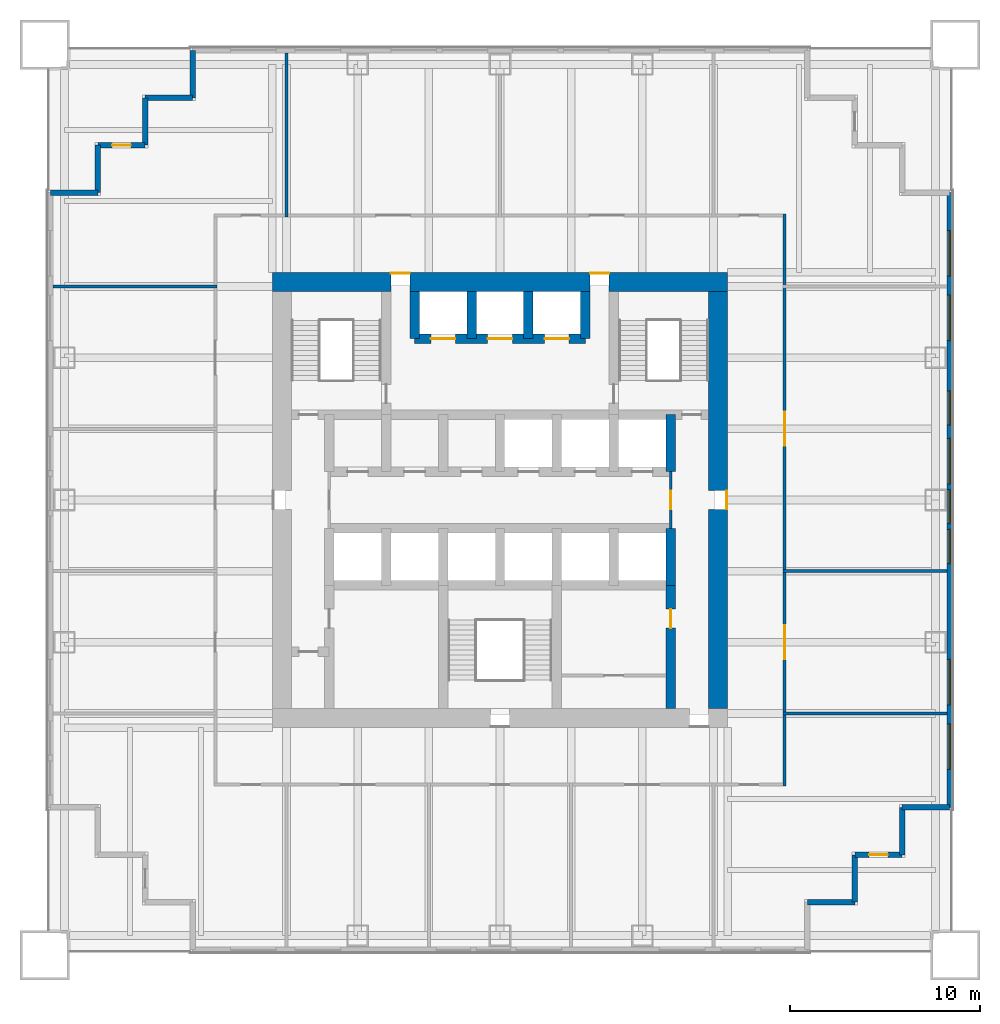
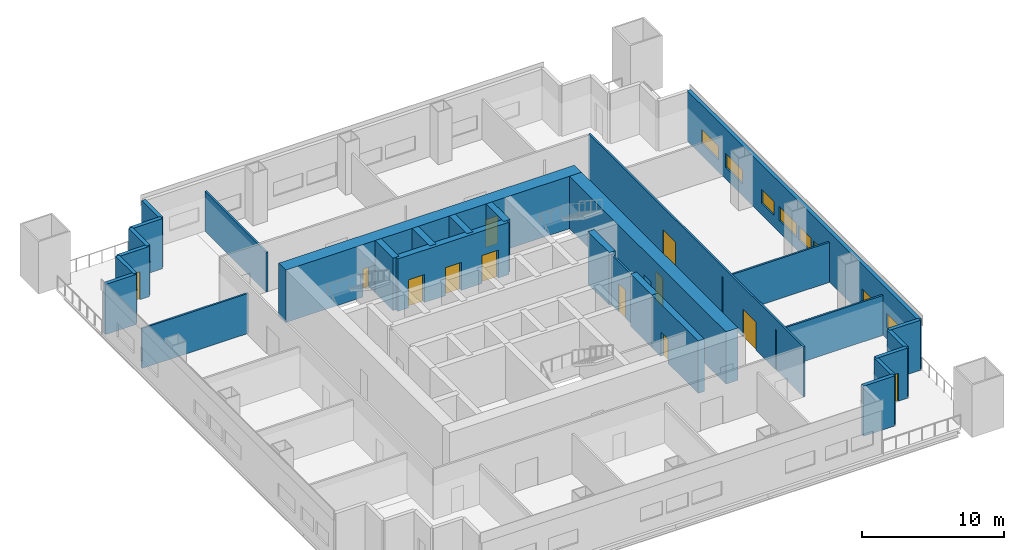
# One storey, part 4 of 7: 28 walls, 12 doors, 8 windows, 20 openings.
"""IFC4 building model written with IfcOpenShell, lengths in metres."""

from ifc_helpers import new_model, si_unit, direction, frame, frame_2d, origin, place, context, subcontext, project, spatial, rectangle, extrude, material, layer, layer_set, type_object, element, fill, save


model = new_model("IFC4")

# Units and contexts
model_context = context("Model", 3, precision=1e-05, world=origin(), true_north=direction((0.0, 1.0)))
body_context = subcontext(model_context, "Body", "Model", "MODEL_VIEW")
ifc_project = project(units=[si_unit("LENGTHUNIT", "METRE"), si_unit("AREAUNIT", "SQUARE_METRE"), si_unit("VOLUMEUNIT", "CUBIC_METRE"), si_unit("PLANEANGLEUNIT", "RADIAN"), si_unit("MASSUNIT", "GRAM", prefix="KILO")], contexts=[model_context])

# Site, building, storey
site_placement = place(None, origin())
site = spatial("IfcSite", under=ifc_project, at=site_placement, CompositionType="ELEMENT")
building_placement = place(site_placement, origin())
building = spatial("IfcBuilding", under=site, at=building_placement, Name="Tarangal Relay Tower", CompositionType="ELEMENT")
storey_placement = place(building_placement, frame((0.0, 0.0, 158.39990234375)))
storey = spatial("IfcBuildingStorey", under=building, at=storey_placement, Name="L32", CompositionType="ELEMENT", Elevation=158.39990234375)

# Wall, openings, doors
ifc_material_1 = material(Name="Concrete fc' 60 MPa", Category="concrete")
ifc_layer_1 = layer(ifc_material_1, 0.5)
ifc_layer_set_1 = layer_set([ifc_layer_1], Name="Core inner wall 500")
wall_type_1 = type_object("IfcWallType", Name="Core inner wall 500", PredefinedType="SHEAR", material=ifc_layer_set_1)
wall_1_placement = place(storey_placement, frame((-4.5, 8.5, 0.0), z_axis=(0.0, 0.0, 1.0), x_axis=(1.0, 0.0, 0.0)))
wall_1 = element("IfcWall", 1, at=wall_1_placement, inside=storey, type_object=wall_type_1, Name="Core wall Y85 L32", PredefinedType="SHEAR", context=body_context, shape_type="SweptSolid", body=[
    extrude(rectangle(XDim=9.0, YDim=0.5, at=frame_2d((4.5, 0.0))), origin(), (0.0, 0.0, 1.0), 4.5),
])
opening_1_placement = place(wall_1_placement, frame((0.85009765625, 0.0, 0.0)))
opening_1 = element("IfcOpeningElement", 2, at=opening_1_placement, cuts=wall_1, Name="Opening LD2", PredefinedType="OPENING", context=body_context, shape_type="SweptSolid", body=[
    extrude(rectangle(XDim=1.300048828125, YDim=2.39990234375, at=frame_2d((0.64990234375, 1.199951171875))), frame((0.0, 0.260009765625, 0.0), z_axis=(0.0, -1.0, 0.0), x_axis=(1.0, 0.0, 0.0)), (0.0, 0.0, 1.0), 0.52001953125),
])
opening_2_placement = place(wall_1_placement, frame((6.85009765625, 0.0, 0.0)))
opening_2 = element("IfcOpeningElement", 3, at=opening_2_placement, cuts=wall_1, Name="Opening LD2", PredefinedType="OPENING", context=body_context, shape_type="SweptSolid", body=[
    extrude(rectangle(XDim=1.300048828125, YDim=2.39990234375, at=frame_2d((0.64990234375, 1.199951171875))), frame((0.0, 0.260009765625, 0.0), z_axis=(0.0, -1.0, 0.0), x_axis=(1.0, 0.0, 0.0)), (0.0, 0.0, 1.0), 0.52001953125),
])
opening_3_placement = place(wall_1_placement, frame((3.85009765625, 0.0, 0.0)))
opening_3 = element("IfcOpeningElement", 4, at=opening_3_placement, cuts=wall_1, Name="Opening LD2", PredefinedType="OPENING", context=body_context, shape_type="SweptSolid", body=[
    extrude(rectangle(XDim=1.300048828125, YDim=2.39990234375, at=frame_2d((0.64990234375, 1.199951171875))), frame((0.0, 0.260009765625, 0.0), z_axis=(0.0, -1.0, 0.0), x_axis=(1.0, 0.0, 0.0)), (0.0, 0.0, 1.0), 0.52001953125),
])
ifc_material_2 = material(Name="Steel door with hardwood frame", Category="steel")
door_type_1 = type_object("IfcDoorType", Name="Lift landing door 1300 x 2400", OperationType="SLIDING_TO_LEFT", PredefinedType="DOOR", material=ifc_material_2)
door_1_placement = place(opening_1_placement, origin())
door_1 = element("IfcDoor", 5, at=door_1_placement, inside=storey, type_object=door_type_1, Name="Lift FF1 landing door L32", OperationType="SLIDING_TO_LEFT", OverallHeight=2.39990234375, OverallWidth=1.300048828125, PredefinedType="DOOR", context=body_context, shape_type="SweptSolid", body=[
    extrude(rectangle(XDim=1.300048828125, YDim=2.39990234375, at=frame_2d((0.64990234375, 1.199951171875))), frame((0.0, 0.02490234375, 0.0), z_axis=(0.0, -1.0, 0.0), x_axis=(1.0, 0.0, 0.0)), (0.0, 0.0, 1.0), 0.050048828125),
])
fill(opening_1, door_1)
door_2_placement = place(opening_2_placement, origin())
door_2 = element("IfcDoor", 6, at=door_2_placement, inside=storey, type_object=door_type_1, Name="Lift FF2 landing door L32", OperationType="SLIDING_TO_LEFT", OverallHeight=2.39990234375, OverallWidth=1.300048828125, PredefinedType="DOOR", context=body_context, shape_type="SweptSolid", body=[
    extrude(rectangle(XDim=1.300048828125, YDim=2.39990234375, at=frame_2d((0.64990234375, 1.199951171875))), frame((0.0, 0.02490234375, 0.0), z_axis=(0.0, -1.0, 0.0), x_axis=(1.0, 0.0, 0.0)), (0.0, 0.0, 1.0), 0.050048828125),
])
fill(opening_2, door_2)
door_3_placement = place(opening_3_placement, origin())
door_3 = element("IfcDoor", 7, at=door_3_placement, inside=storey, type_object=door_type_1, Name="Lift SV1 landing door L32", OperationType="SLIDING_TO_LEFT", OverallHeight=2.39990234375, OverallWidth=1.300048828125, PredefinedType="DOOR", context=body_context, shape_type="SweptSolid", body=[
    extrude(rectangle(XDim=1.300048828125, YDim=2.39990234375, at=frame_2d((0.64990234375, 1.199951171875))), frame((0.0, 0.02490234375, 0.0), z_axis=(0.0, -1.0, 0.0), x_axis=(1.0, 0.0, 0.0)), (0.0, 0.0, 1.0), 0.050048828125),
])
fill(opening_3, door_3)

# Walls
for number, where, z_axis, x_axis, name in (
    (8, (9.0, 1.5, 0.0), (0.0, 0.0, 1.0), (0.0, 1.0, 0.0), "Core wall X9N L32"),
    (9, (9.0, -4.5, 0.0), (0.0, 0.0, 1.0), (0.0, 1.0, 0.0), "Core wall X9S L32"),
):
    element("IfcWall", number, at=place(storey_placement, frame(where, z_axis=z_axis, x_axis=x_axis)), inside=storey, type_object=wall_type_1, Name=name, PredefinedType="SHEAR", context=body_context, shape_type="SweptSolid", body=[
        extrude(rectangle(XDim=3.0, YDim=0.5, at=frame_2d((1.5, 0.0))), origin(), (0.0, 0.0, 1.0), 4.5),
    ])
for number, where, z_axis, x_axis, name in (
    (10, (-4.5, 8.5, 0.0), (0.0, 0.0, 1.0), (0.0, 1.0, 0.0), "Core wall XM45 L32"),
    (11, (4.5, 8.5, 0.0), (0.0, 0.0, 1.0), (0.0, 1.0, 0.0), "Core wall X45 L32"),
    (12, (-1.5, 8.5, 0.0), (0.0, 0.0, 1.0), (0.0, 1.0, 0.0), "Core wall XM15 L32"),
    (13, (1.5, 8.5, 0.0), (0.0, 0.0, 1.0), (0.0, 1.0, 0.0), "Core wall X15 L32"),
):
    element("IfcWall", number, at=place(storey_placement, frame(where, z_axis=z_axis, x_axis=x_axis)), inside=storey, type_object=wall_type_1, Name=name, PredefinedType="SHEAR", context=body_context, shape_type="SweptSolid", body=[
        extrude(rectangle(XDim=2.5, YDim=0.5, at=frame_2d((1.25, 0.0))), origin(), (0.0, 0.0, 1.0), 4.5),
    ])

# Wall, opening, door
wall_2_placement = place(storey_placement, frame((9.0, -11.0, 0.0), z_axis=(0.0, 0.0, 1.0), x_axis=(0.0, 1.0, 0.0)))
wall_2 = element("IfcWall", 14, at=wall_2_placement, inside=storey, type_object=wall_type_1, Name="Core wall X9W L32", PredefinedType="SHEAR", context=body_context, shape_type="SweptSolid", body=[
    extrude(rectangle(XDim=6.5, YDim=0.5, at=frame_2d((3.25, 0.0))), origin(), (0.0, 0.0, 1.0), 4.5),
])
opening_4_placement = place(wall_2_placement, frame((4.25, 0.0, 0.0)))
opening_4 = element("IfcOpeningElement", 15, at=opening_4_placement, cuts=wall_2, Name="Opening D1", PredefinedType="OPENING", context=body_context, shape_type="SweptSolid", body=[
    extrude(rectangle(XDim=1.0, YDim=2.10009765625, at=frame_2d((0.5, 1.050048828125))), frame((0.0, 0.260009765625, 0.0), z_axis=(0.0, -1.0, 0.0), x_axis=(1.0, 0.0, 0.0)), (0.0, 0.0, 1.0), 0.52001953125),
])
ifc_material_3 = material(Name="Hardwood door", Category="wood")
door_type_2 = type_object("IfcDoorType", Name="WC door 1000 x 2100", OperationType="SINGLE_SWING_LEFT", PredefinedType="DOOR", material=ifc_material_3)
door_4_placement = place(opening_4_placement, origin())
door_4 = element("IfcDoor", 16, at=door_4_placement, inside=storey, type_object=door_type_2, Name="Female WC door L32", OperationType="SINGLE_SWING_LEFT", OverallHeight=2.10009765625, OverallWidth=1.0, PredefinedType="DOOR", context=body_context, shape_type="SweptSolid", body=[
    extrude(rectangle(XDim=1.0, YDim=2.10009765625, at=frame_2d((0.5, 1.050048828125))), frame((0.0, 0.02490234375, 0.0), z_axis=(0.0, -1.0, 0.0), x_axis=(1.0, 0.0, 0.0)), (0.0, 0.0, 1.0), 0.050048828125),
])
fill(opening_4, door_4)

# Wall, openings, doors
ifc_layer_2 = layer(ifc_material_1, 1.0)
ifc_layer_set_2 = layer_set([ifc_layer_2], Name="Core wall 1000")
wall_type_2 = type_object("IfcWallType", Name="Core wall 1000", PredefinedType="SHEAR", material=ifc_layer_set_2)
wall_3_placement = place(storey_placement, frame((-12.0, 11.5, 0.0), z_axis=(0.0, 0.0, 1.0), x_axis=(1.0, 0.0, 0.0)))
wall_3 = element("IfcWall", 17, at=wall_3_placement, inside=storey, type_object=wall_type_2, Name="Core wall N L32", PredefinedType="SHEAR", context=body_context, shape_type="SweptSolid", body=[
    extrude(rectangle(XDim=24.0, YDim=1.0, at=frame_2d((12.0, 0.0))), origin(), (0.0, 0.0, 1.0), 4.5),
])
opening_5_placement = place(wall_3_placement, frame((6.25, 0.0, 0.0)))
opening_5 = element("IfcOpeningElement", 18, at=opening_5_placement, cuts=wall_3, Name="Opening FD3", PredefinedType="OPENING", context=body_context, shape_type="SweptSolid", body=[
    extrude(rectangle(XDim=1.0, YDim=2.39990234375, at=frame_2d((0.5, 1.199951171875))), frame((0.0, 0.510009765625, 0.0), z_axis=(0.0, -1.0, 0.0), x_axis=(1.0, 0.0, 0.0)), (0.0, 0.0, 1.0), 1.02001953125),
])
opening_6_placement = place(wall_3_placement, frame((16.75, 0.0, 0.0)))
opening_6 = element("IfcOpeningElement", 19, at=opening_6_placement, cuts=wall_3, Name="Opening FD3", PredefinedType="OPENING", context=body_context, shape_type="SweptSolid", body=[
    extrude(rectangle(XDim=1.0, YDim=2.39990234375, at=frame_2d((0.5, 1.199951171875))), frame((0.0, 0.510009765625, 0.0), z_axis=(0.0, -1.0, 0.0), x_axis=(1.0, 0.0, 0.0)), (0.0, 0.0, 1.0), 1.02001953125),
])
door_type_3 = type_object("IfcDoorType", Name="Fire door 1000 x 2400 core entry", OperationType="SINGLE_SWING_RIGHT", PredefinedType="DOOR", material=ifc_material_2)
door_5_placement = place(opening_5_placement, origin())
door_5 = element("IfcDoor", 20, at=door_5_placement, inside=storey, type_object=door_type_3, Name="Core entry door north west L32", OperationType="SINGLE_SWING_RIGHT", OverallHeight=2.39990234375, OverallWidth=1.0, PredefinedType="DOOR", context=body_context, shape_type="SweptSolid", body=[
    extrude(rectangle(XDim=1.0, YDim=2.39990234375, at=frame_2d((0.5, 1.199951171875))), frame((0.0, 0.48486328125, 0.0), z_axis=(0.0, -1.0, 0.0), x_axis=(1.0, 0.0, 0.0)), (0.0, 0.0, 1.0), 0.050048828125),
])
fill(opening_5, door_5)
door_6_placement = place(opening_6_placement, origin())
door_6 = element("IfcDoor", 21, at=door_6_placement, inside=storey, type_object=door_type_3, Name="Core entry door north east L32", OperationType="SINGLE_SWING_RIGHT", OverallHeight=2.39990234375, OverallWidth=1.0, PredefinedType="DOOR", context=body_context, shape_type="SweptSolid", body=[
    extrude(rectangle(XDim=1.0, YDim=2.39990234375, at=frame_2d((0.5, 1.199951171875))), frame((0.0, 0.48486328125, 0.0), z_axis=(0.0, -1.0, 0.0), x_axis=(1.0, 0.0, 0.0)), (0.0, 0.0, 1.0), 0.050048828125),
])
fill(opening_6, door_6)

# Wall, opening, door
wall_4_placement = place(storey_placement, frame((11.5, 11.0, 0.0), z_axis=(0.0, 0.0, 1.0), x_axis=(0.0, -1.0, 0.0)))
wall_4 = element("IfcWall", 22, at=wall_4_placement, inside=storey, type_object=wall_type_2, Name="Core wall E L32", PredefinedType="SHEAR", context=body_context, shape_type="SweptSolid", body=[
    extrude(rectangle(XDim=22.0, YDim=1.0, at=frame_2d((11.0, 0.0))), origin(), (0.0, 0.0, 1.0), 4.5),
])
opening_7_placement = place(wall_4_placement, frame((10.5, 0.0, 0.0)))
opening_7 = element("IfcOpeningElement", 23, at=opening_7_placement, cuts=wall_4, Name="Opening FD3", PredefinedType="OPENING", context=body_context, shape_type="SweptSolid", body=[
    extrude(rectangle(XDim=1.0, YDim=2.39990234375, at=frame_2d((0.5, 1.199951171875))), frame((0.0, 0.510009765625, 0.0), z_axis=(0.0, -1.0, 0.0), x_axis=(1.0, 0.0, 0.0)), (0.0, 0.0, 1.0), 1.02001953125),
])
door_7_placement = place(opening_7_placement, origin())
door_7 = element("IfcDoor", 24, at=door_7_placement, inside=storey, type_object=door_type_3, Name="Core entry door east L32", OperationType="SINGLE_SWING_RIGHT", OverallHeight=2.39990234375, OverallWidth=1.0, PredefinedType="DOOR", context=body_context, shape_type="SweptSolid", body=[
    extrude(rectangle(XDim=1.0, YDim=2.39990234375, at=frame_2d((0.5, 1.199951171875))), frame((0.0, 0.48486328125, 0.0), z_axis=(0.0, -1.0, 0.0), x_axis=(1.0, 0.0, 0.0)), (0.0, 0.0, 1.0), 0.050048828125),
])
fill(opening_7, door_7)

# Wall, openings, windows
ifc_material_4 = material(Name="Insulated precast concrete fc' 40 MPa", Category="concrete")
ifc_layer_3 = layer(ifc_material_4, 0.300048828125)
ifc_layer_set_3 = layer_set([ifc_layer_3], Name="Insulated precast concrete fc' 40 MPa")
wall_type_3 = type_object("IfcWallType", Name="Facade wall precast 300", PredefinedType="SOLIDWALL", material=ifc_layer_set_3)
wall_5_placement = place(storey_placement, frame((23.699951171875, 16.199951171875, 0.0), z_axis=(0.0, 0.0, 1.0), x_axis=(0.0, -1.0, 0.0)))
wall_5 = element("IfcWall", 25, at=wall_5_placement, inside=storey, type_object=wall_type_3, Name="Facade wall E facade L32", PredefinedType="SOLIDWALL", context=body_context, shape_type="SweptSolid", body=[
    extrude(rectangle(XDim=32.39990234375, YDim=0.300048828125, at=frame_2d((16.199951171875, 0.0))), origin(), (0.0, 0.0, 1.0), 4.300048828125),
])
opening_8_placement = place(wall_5_placement, frame((2.0, 0.0, 1.0)))
opening_8 = element("IfcOpeningElement", 26, at=opening_8_placement, cuts=wall_5, Name="Opening WN1", PredefinedType="OPENING", context=body_context, shape_type="SweptSolid", body=[
    extrude(rectangle(XDim=2.39990234375, YDim=1.199951171875, at=frame_2d((1.199951171875, 0.60009765625))), frame((0.0, 0.159912109375, 0.0), z_axis=(0.0, -1.0, 0.0), x_axis=(1.0, 0.0, 0.0)), (0.0, 0.0, 1.0), 0.320068359375),
])
opening_9_placement = place(wall_5_placement, frame((5.39990234375, 0.0, 1.0)))
opening_9 = element("IfcOpeningElement", 27, at=opening_9_placement, cuts=wall_5, Name="Opening WN1", PredefinedType="OPENING", context=body_context, shape_type="SweptSolid", body=[
    extrude(rectangle(XDim=2.39990234375, YDim=1.199951171875, at=frame_2d((1.199951171875, 0.60009765625))), frame((0.0, 0.159912109375, 0.0), z_axis=(0.0, -1.0, 0.0), x_axis=(1.0, 0.0, 0.0)), (0.0, 0.0, 1.0), 0.320068359375),
])
opening_10_placement = place(wall_5_placement, frame((10.449951171875, 0.0, 1.0)))
opening_10 = element("IfcOpeningElement", 28, at=opening_10_placement, cuts=wall_5, Name="Opening WN5", PredefinedType="OPENING", context=body_context, shape_type="SweptSolid", body=[
    extrude(rectangle(XDim=1.800048828125, YDim=1.199951171875, at=frame_2d((0.89990234375, 0.60009765625))), frame((0.0, 0.159912109375, 0.0), z_axis=(0.0, -1.0, 0.0), x_axis=(1.0, 0.0, 0.0)), (0.0, 0.0, 1.0), 0.320068359375),
])
opening_11_placement = place(wall_5_placement, frame((12.949951171875, 0.0, 1.0)))
opening_11 = element("IfcOpeningElement", 29, at=opening_11_placement, cuts=wall_5, Name="Opening WN1", PredefinedType="OPENING", context=body_context, shape_type="SweptSolid", body=[
    extrude(rectangle(XDim=2.39990234375, YDim=1.199951171875, at=frame_2d((1.199951171875, 0.60009765625))), frame((0.0, 0.159912109375, 0.0), z_axis=(0.0, -1.0, 0.0), x_axis=(1.0, 0.0, 0.0)), (0.0, 0.0, 1.0), 0.320068359375),
])
opening_12_placement = place(wall_5_placement, frame((15.64990234375, 0.0, 1.0)))
opening_12 = element("IfcOpeningElement", 30, at=opening_12_placement, cuts=wall_5, Name="Opening WN5", PredefinedType="OPENING", context=body_context, shape_type="SweptSolid", body=[
    extrude(rectangle(XDim=1.800048828125, YDim=1.199951171875, at=frame_2d((0.89990234375, 0.60009765625))), frame((0.0, 0.159912109375, 0.0), z_axis=(0.0, -1.0, 0.0), x_axis=(1.0, 0.0, 0.0)), (0.0, 0.0, 1.0), 0.320068359375),
])
opening_13_placement = place(wall_5_placement, frame((17.75, 0.0, 1.0)))
opening_13 = element("IfcOpeningElement", 31, at=opening_13_placement, cuts=wall_5, Name="Opening WN5", PredefinedType="OPENING", context=body_context, shape_type="SweptSolid", body=[
    extrude(rectangle(XDim=1.800048828125, YDim=1.199951171875, at=frame_2d((0.89990234375, 0.60009765625))), frame((0.0, 0.159912109375, 0.0), z_axis=(0.0, -1.0, 0.0), x_axis=(1.0, 0.0, 0.0)), (0.0, 0.0, 1.0), 0.320068359375),
])
opening_14_placement = place(wall_5_placement, frame((24.60009765625, 0.0, 1.0)))
opening_14 = element("IfcOpeningElement", 32, at=opening_14_placement, cuts=wall_5, Name="Opening WN1", PredefinedType="OPENING", context=body_context, shape_type="SweptSolid", body=[
    extrude(rectangle(XDim=2.39990234375, YDim=1.199951171875, at=frame_2d((1.199951171875, 0.60009765625))), frame((0.0, 0.159912109375, 0.0), z_axis=(0.0, -1.0, 0.0), x_axis=(1.0, 0.0, 0.0)), (0.0, 0.0, 1.0), 0.320068359375),
])
opening_15_placement = place(wall_5_placement, frame((28.0, 0.0, 1.0)))
opening_15 = element("IfcOpeningElement", 33, at=opening_15_placement, cuts=wall_5, Name="Opening WN1", PredefinedType="OPENING", context=body_context, shape_type="SweptSolid", body=[
    extrude(rectangle(XDim=2.39990234375, YDim=1.199951171875, at=frame_2d((1.199951171875, 0.60009765625))), frame((0.0, 0.159912109375, 0.0), z_axis=(0.0, -1.0, 0.0), x_axis=(1.0, 0.0, 0.0)), (0.0, 0.0, 1.0), 0.320068359375),
])
ifc_material_5 = material(Name="Dark tinted double glazing in black aluminium frame", Category="aluminium")
window_type_1 = type_object("IfcWindowType", Name="Ribbon window 1800 x 1200", PartitioningType="SINGLE_PANEL", PredefinedType="WINDOW", material=ifc_material_5)
window_1_placement = place(opening_10_placement, origin())
window_1 = element("IfcWindow", 34, at=window_1_placement, inside=storey, type_object=window_type_1, Name="Ribbon window WN5 E facade L32", OverallHeight=1.199951171875, OverallWidth=1.800048828125, PartitioningType="SINGLE_PANEL", PredefinedType="WINDOW", context=body_context, shape_type="SweptSolid", body=[
    extrude(rectangle(XDim=1.800048828125, YDim=1.199951171875, at=frame_2d((0.89990234375, 0.60009765625))), frame((0.0, 0.030029296875, 0.0), z_axis=(0.0, -1.0, 0.0), x_axis=(1.0, 0.0, 0.0)), (0.0, 0.0, 1.0), 0.06005859375),
])
fill(opening_10, window_1)
window_2_placement = place(opening_12_placement, origin())
window_2 = element("IfcWindow", 35, at=window_2_placement, inside=storey, type_object=window_type_1, Name="Ribbon window WN5 E facade L32", OverallHeight=1.199951171875, OverallWidth=1.800048828125, PartitioningType="SINGLE_PANEL", PredefinedType="WINDOW", context=body_context, shape_type="SweptSolid", body=[
    extrude(rectangle(XDim=1.800048828125, YDim=1.199951171875, at=frame_2d((0.89990234375, 0.60009765625))), frame((0.0, 0.030029296875, 0.0), z_axis=(0.0, -1.0, 0.0), x_axis=(1.0, 0.0, 0.0)), (0.0, 0.0, 1.0), 0.06005859375),
])
fill(opening_12, window_2)
window_3_placement = place(opening_13_placement, origin())
window_3 = element("IfcWindow", 36, at=window_3_placement, inside=storey, type_object=window_type_1, Name="Ribbon window WN5 E facade L32", OverallHeight=1.199951171875, OverallWidth=1.800048828125, PartitioningType="SINGLE_PANEL", PredefinedType="WINDOW", context=body_context, shape_type="SweptSolid", body=[
    extrude(rectangle(XDim=1.800048828125, YDim=1.199951171875, at=frame_2d((0.89990234375, 0.60009765625))), frame((0.0, 0.030029296875, 0.0), z_axis=(0.0, -1.0, 0.0), x_axis=(1.0, 0.0, 0.0)), (0.0, 0.0, 1.0), 0.06005859375),
])
fill(opening_13, window_3)
window_type_2 = type_object("IfcWindowType", Name="Ribbon window 2400 x 1200", PartitioningType="SINGLE_PANEL", PredefinedType="WINDOW", material=ifc_material_5)
window_4_placement = place(opening_8_placement, origin())
window_4 = element("IfcWindow", 37, at=window_4_placement, inside=storey, type_object=window_type_2, Name="Ribbon window WN1 E facade L32", OverallHeight=1.199951171875, OverallWidth=2.39990234375, PartitioningType="SINGLE_PANEL", PredefinedType="WINDOW", context=body_context, shape_type="SweptSolid", body=[
    extrude(rectangle(XDim=2.39990234375, YDim=1.199951171875, at=frame_2d((1.199951171875, 0.60009765625))), frame((0.0, 0.030029296875, 0.0), z_axis=(0.0, -1.0, 0.0), x_axis=(1.0, 0.0, 0.0)), (0.0, 0.0, 1.0), 0.06005859375),
])
fill(opening_8, window_4)
window_5_placement = place(opening_9_placement, origin())
window_5 = element("IfcWindow", 38, at=window_5_placement, inside=storey, type_object=window_type_2, Name="Ribbon window WN1 E facade L32", OverallHeight=1.199951171875, OverallWidth=2.39990234375, PartitioningType="SINGLE_PANEL", PredefinedType="WINDOW", context=body_context, shape_type="SweptSolid", body=[
    extrude(rectangle(XDim=2.39990234375, YDim=1.199951171875, at=frame_2d((1.199951171875, 0.60009765625))), frame((0.0, 0.030029296875, 0.0), z_axis=(0.0, -1.0, 0.0), x_axis=(1.0, 0.0, 0.0)), (0.0, 0.0, 1.0), 0.06005859375),
])
fill(opening_9, window_5)
window_6_placement = place(opening_11_placement, origin())
window_6 = element("IfcWindow", 39, at=window_6_placement, inside=storey, type_object=window_type_2, Name="Ribbon window WN1 E facade L32", OverallHeight=1.199951171875, OverallWidth=2.39990234375, PartitioningType="SINGLE_PANEL", PredefinedType="WINDOW", context=body_context, shape_type="SweptSolid", body=[
    extrude(rectangle(XDim=2.39990234375, YDim=1.199951171875, at=frame_2d((1.199951171875, 0.60009765625))), frame((0.0, 0.030029296875, 0.0), z_axis=(0.0, -1.0, 0.0), x_axis=(1.0, 0.0, 0.0)), (0.0, 0.0, 1.0), 0.06005859375),
])
fill(opening_11, window_6)
window_7_placement = place(opening_14_placement, origin())
window_7 = element("IfcWindow", 40, at=window_7_placement, inside=storey, type_object=window_type_2, Name="Ribbon window WN1 E facade L32", OverallHeight=1.199951171875, OverallWidth=2.39990234375, PartitioningType="SINGLE_PANEL", PredefinedType="WINDOW", context=body_context, shape_type="SweptSolid", body=[
    extrude(rectangle(XDim=2.39990234375, YDim=1.199951171875, at=frame_2d((1.199951171875, 0.60009765625))), frame((0.0, 0.030029296875, 0.0), z_axis=(0.0, -1.0, 0.0), x_axis=(1.0, 0.0, 0.0)), (0.0, 0.0, 1.0), 0.06005859375),
])
fill(opening_14, window_7)
window_8_placement = place(opening_15_placement, origin())
window_8 = element("IfcWindow", 41, at=window_8_placement, inside=storey, type_object=window_type_2, Name="Ribbon window WN1 E facade L32", OverallHeight=1.199951171875, OverallWidth=2.39990234375, PartitioningType="SINGLE_PANEL", PredefinedType="WINDOW", context=body_context, shape_type="SweptSolid", body=[
    extrude(rectangle(XDim=2.39990234375, YDim=1.199951171875, at=frame_2d((1.199951171875, 0.60009765625))), frame((0.0, 0.030029296875, 0.0), z_axis=(0.0, -1.0, 0.0), x_axis=(1.0, 0.0, 0.0)), (0.0, 0.0, 1.0), 0.06005859375),
])
fill(opening_15, window_8)

# Walls
for number, where, z_axis, x_axis, name in (
    (42, (23.699951171875, -16.199951171875, 0.0), (0.0, 0.0, 1.0), (-1.0, 0.0, 0.0), "Facade wall E facade L32"),
    (43, (21.199951171875, -16.199951171875, 0.0), (0.0, 0.0, 1.0), (0.0, -1.0, 0.0), "Facade wall E facade L32"),
):
    element("IfcWall", number, at=place(storey_placement, frame(where, z_axis=z_axis, x_axis=x_axis)), inside=storey, type_object=wall_type_3, Name=name, PredefinedType="SOLIDWALL", context=body_context, shape_type="SweptSolid", body=[
        extrude(rectangle(XDim=2.5, YDim=0.300048828125, at=frame_2d((1.25, 0.0))), origin(), (0.0, 0.0, 1.0), 4.300048828125),
    ])

# Wall, opening, door
wall_6_placement = place(storey_placement, frame((21.199951171875, -18.699951171875, 0.0), z_axis=(0.0, 0.0, 1.0), x_axis=(-1.0, 0.0, 0.0)))
wall_6 = element("IfcWall", 44, at=wall_6_placement, inside=storey, type_object=wall_type_3, Name="Facade wall E facade L32", PredefinedType="SOLIDWALL", context=body_context, shape_type="SweptSolid", body=[
    extrude(rectangle(XDim=2.5, YDim=0.300048828125, at=frame_2d((1.25, 0.0))), origin(), (0.0, 0.0, 1.0), 4.300048828125),
])
opening_16_placement = place(wall_6_placement, frame((0.75, 0.0, 0.0)))
opening_16 = element("IfcOpeningElement", 45, at=opening_16_placement, cuts=wall_6, Name="Opening TD1", PredefinedType="OPENING", context=body_context, shape_type="SweptSolid", body=[
    extrude(rectangle(XDim=1.0, YDim=2.39990234375, at=frame_2d((0.5, 1.199951171875))), frame((0.0, 0.159912109375, 0.0), z_axis=(0.0, -1.0, 0.0), x_axis=(1.0, 0.0, 0.0)), (0.0, 0.0, 1.0), 0.320068359375),
])
ifc_material_6 = material(Name="Aluminium glazed door", Category="aluminium")
door_type_4 = type_object("IfcDoorType", Name="Terrace door 1000 x 2400", OperationType="SINGLE_SWING_RIGHT", PredefinedType="DOOR", material=ifc_material_6)
door_8_placement = place(opening_16_placement, origin())
door_8 = element("IfcDoor", 46, at=door_8_placement, inside=storey, type_object=door_type_4, Name="Terrace door TD1 SE L32", OperationType="SINGLE_SWING_RIGHT", OverallHeight=2.39990234375, OverallWidth=1.0, PredefinedType="DOOR", context=body_context, shape_type="SweptSolid", body=[
    extrude(rectangle(XDim=1.0, YDim=2.39990234375, at=frame_2d((0.5, 1.199951171875))), frame((0.0, 0.02490234375, 0.0), z_axis=(0.0, -1.0, 0.0), x_axis=(1.0, 0.0, 0.0)), (0.0, 0.0, 1.0), 0.050048828125),
])
fill(opening_16, door_8)

# Walls
for number, where, z_axis, x_axis, name in (
    (47, (18.699951171875, -18.699951171875, 0.0), (0.0, 0.0, 1.0), (0.0, -1.0, 0.0), "Facade wall E facade L32"),
    (48, (18.699951171875, -21.199951171875, 0.0), (0.0, 0.0, 1.0), (-1.0, 0.0, 0.0), "Facade wall E facade L32"),
    (49, (-23.699951171875, 16.199951171875, 0.0), (0.0, 0.0, 1.0), (1.0, 0.0, 0.0), "Facade wall W facade L32"),
    (50, (-21.199951171875, 16.199951171875, 0.0), (0.0, 0.0, 1.0), (0.0, 1.0, 0.0), "Facade wall W facade L32"),
):
    element("IfcWall", number, at=place(storey_placement, frame(where, z_axis=z_axis, x_axis=x_axis)), inside=storey, type_object=wall_type_3, Name=name, PredefinedType="SOLIDWALL", context=body_context, shape_type="SweptSolid", body=[
        extrude(rectangle(XDim=2.5, YDim=0.300048828125, at=frame_2d((1.25, 0.0))), origin(), (0.0, 0.0, 1.0), 4.300048828125),
    ])

# Wall, opening, door
wall_7_placement = place(storey_placement, frame((-21.199951171875, 18.699951171875, 0.0), z_axis=(0.0, 0.0, 1.0), x_axis=(1.0, 0.0, 0.0)))
wall_7 = element("IfcWall", 51, at=wall_7_placement, inside=storey, type_object=wall_type_3, Name="Facade wall W facade L32", PredefinedType="SOLIDWALL", context=body_context, shape_type="SweptSolid", body=[
    extrude(rectangle(XDim=2.5, YDim=0.300048828125, at=frame_2d((1.25, 0.0))), origin(), (0.0, 0.0, 1.0), 4.300048828125),
])
opening_17_placement = place(wall_7_placement, frame((0.75, 0.0, 0.0)))
opening_17 = element("IfcOpeningElement", 52, at=opening_17_placement, cuts=wall_7, Name="Opening TD1", PredefinedType="OPENING", context=body_context, shape_type="SweptSolid", body=[
    extrude(rectangle(XDim=1.0, YDim=2.39990234375, at=frame_2d((0.5, 1.199951171875))), frame((0.0, 0.159912109375, 0.0), z_axis=(0.0, -1.0, 0.0), x_axis=(1.0, 0.0, 0.0)), (0.0, 0.0, 1.0), 0.320068359375),
])
door_9_placement = place(opening_17_placement, origin())
door_9 = element("IfcDoor", 53, at=door_9_placement, inside=storey, type_object=door_type_4, Name="Terrace door TD1 NW L32", OperationType="SINGLE_SWING_RIGHT", OverallHeight=2.39990234375, OverallWidth=1.0, PredefinedType="DOOR", context=body_context, shape_type="SweptSolid", body=[
    extrude(rectangle(XDim=1.0, YDim=2.39990234375, at=frame_2d((0.5, 1.199951171875))), frame((0.0, 0.02490234375, 0.0), z_axis=(0.0, -1.0, 0.0), x_axis=(1.0, 0.0, 0.0)), (0.0, 0.0, 1.0), 0.050048828125),
])
fill(opening_17, door_9)

# Walls
for number, where, z_axis, x_axis, name in (
    (54, (-18.699951171875, 18.699951171875, 0.0), (0.0, 0.0, 1.0), (0.0, 1.0, 0.0), "Facade wall W facade L32"),
    (55, (-18.699951171875, 21.199951171875, 0.0), (0.0, 0.0, 1.0), (1.0, 0.0, 0.0), "Facade wall W facade L32"),
    (56, (-16.199951171875, 21.199951171875, 0.0), (0.0, 0.0, 1.0), (0.0, 1.0, 0.0), "Facade wall W facade L32"),
):
    element("IfcWall", number, at=place(storey_placement, frame(where, z_axis=z_axis, x_axis=x_axis)), inside=storey, type_object=wall_type_3, Name=name, PredefinedType="SOLIDWALL", context=body_context, shape_type="SweptSolid", body=[
        extrude(rectangle(XDim=2.5, YDim=0.300048828125, at=frame_2d((1.25, 0.0))), origin(), (0.0, 0.0, 1.0), 4.300048828125),
    ])
ifc_material_7 = material(Name="Gypsum board on steel studs", Category="steel")
ifc_layer_4 = layer(ifc_material_7, 0.14990234375)
ifc_layer_set_4 = layer_set([ifc_layer_4], Name="Partition 150")
wall_type_4 = type_object("IfcWallType", Name="Partition 150", PredefinedType="PARTITIONING", material=ifc_layer_set_4)
for number, where, z_axis, x_axis, name in (
    (57, (14.925048828125, -11.25, 0.0), (0.0, 0.0, 1.0), (1.0, 0.0, 0.0), "Partition PT1 L32"),
    (58, (14.925048828125, -3.75, 0.0), (0.0, 0.0, 1.0), (1.0, 0.0, 0.0), "Partition PT1 L32"),
    (59, (-23.550048828125, 11.25, 0.0), (0.0, 0.0, 1.0), (1.0, 0.0, 0.0), "Partition PT1 L32"),
    (60, (-11.25, 14.925048828125, 0.0), (0.0, 0.0, 1.0), (0.0, 1.0, 0.0), "Partition PT1 L32"),
):
    element("IfcWall", number, at=place(storey_placement, frame(where, z_axis=z_axis, x_axis=x_axis)), inside=storey, type_object=wall_type_4, Name=name, PredefinedType="PARTITIONING", context=body_context, shape_type="SweptSolid", body=[
        extrude(rectangle(XDim=8.625, YDim=0.14990234375, at=frame_2d((4.3125, 0.0))), origin(), (0.0, 0.0, 1.0), 3.431396484375),
    ])

# Wall, openings, doors
wall_8_placement = place(storey_placement, frame((15.0, -15.074951171875, 0.0), z_axis=(0.0, 0.0, 1.0), x_axis=(0.0, 1.0, 0.0)))
wall_8 = element("IfcWall", 61, at=wall_8_placement, inside=storey, type_object=wall_type_4, Name="Partition PT1 L32", PredefinedType="PARTITIONING", context=body_context, shape_type="SweptSolid", body=[
    extrude(rectangle(XDim=30.14990234375, YDim=0.14990234375, at=frame_2d((15.074951171875, 0.0))), origin(), (0.0, 0.0, 1.0), 4.300048828125),
])
opening_18_placement = place(wall_8_placement, frame((17.925048828125, 0.0, 0.0)))
opening_18 = element("IfcOpeningElement", 62, at=opening_18_placement, cuts=wall_8, Name="Opening DD1", PredefinedType="OPENING", context=body_context, shape_type="SweptSolid", body=[
    extrude(rectangle(XDim=1.800048828125, YDim=2.39990234375, at=frame_2d((0.89990234375, 1.199951171875))), frame((0.0, 0.0849609375, 0.0), z_axis=(0.0, -1.0, 0.0), x_axis=(1.0, 0.0, 0.0)), (0.0, 0.0, 1.0), 0.169921875),
])
opening_19_placement = place(wall_8_placement, frame((6.675048828125, 0.0, 0.0)))
opening_19 = element("IfcOpeningElement", 63, at=opening_19_placement, cuts=wall_8, Name="Opening DD1", PredefinedType="OPENING", context=body_context, shape_type="SweptSolid", body=[
    extrude(rectangle(XDim=1.800048828125, YDim=2.39990234375, at=frame_2d((0.89990234375, 1.199951171875))), frame((0.0, 0.0849609375, 0.0), z_axis=(0.0, -1.0, 0.0), x_axis=(1.0, 0.0, 0.0)), (0.0, 0.0, 1.0), 0.169921875),
])
door_type_5 = type_object("IfcDoorType", Name="Equipment double door 1800 x 2400", OperationType="DOUBLE_DOOR_SINGLE_SWING", PredefinedType="DOOR", material=ifc_material_2)
door_10_placement = place(opening_18_placement, origin())
door_10 = element("IfcDoor", 64, at=door_10_placement, inside=storey, type_object=door_type_5, Name="Door DD1 to telecom equipment room L32-04", OperationType="DOUBLE_DOOR_SINGLE_SWING", OverallHeight=2.39990234375, OverallWidth=1.800048828125, PredefinedType="DOOR", context=body_context, shape_type="SweptSolid", body=[
    extrude(rectangle(XDim=1.800048828125, YDim=2.39990234375, at=frame_2d((0.89990234375, 1.199951171875))), frame((0.0, 0.02490234375, 0.0), z_axis=(0.0, -1.0, 0.0), x_axis=(1.0, 0.0, 0.0)), (0.0, 0.0, 1.0), 0.050048828125),
])
fill(opening_18, door_10)
door_11_placement = place(opening_19_placement, origin())
door_11 = element("IfcDoor", 65, at=door_11_placement, inside=storey, type_object=door_type_5, Name="Door DD1 to microwave and antenna room L32-05", OperationType="DOUBLE_DOOR_SINGLE_SWING", OverallHeight=2.39990234375, OverallWidth=1.800048828125, PredefinedType="DOOR", context=body_context, shape_type="SweptSolid", body=[
    extrude(rectangle(XDim=1.800048828125, YDim=2.39990234375, at=frame_2d((0.89990234375, 1.199951171875))), frame((0.0, 0.02490234375, 0.0), z_axis=(0.0, -1.0, 0.0), x_axis=(1.0, 0.0, 0.0)), (0.0, 0.0, 1.0), 0.050048828125),
])
fill(opening_19, door_11)

# Wall, opening, door
wall_9_placement = place(storey_placement, frame((9.0, -1.5, 0.0), z_axis=(0.0, 0.0, 1.0), x_axis=(0.0, 1.0, 0.0)))
wall_9 = element("IfcWall", 66, at=wall_9_placement, inside=storey, type_object=wall_type_4, Name="Partition PT1 L32", PredefinedType="PARTITIONING", context=body_context, shape_type="SweptSolid", body=[
    extrude(rectangle(XDim=3.0, YDim=0.14990234375, at=frame_2d((1.5, 0.0))), origin(), (0.0, 0.0, 1.0), 4.25),
])
opening_20_placement = place(wall_9_placement, frame((1.0, 0.0, 0.0)))
opening_20 = element("IfcOpeningElement", 67, at=opening_20_placement, cuts=wall_9, Name="Opening FD3", PredefinedType="OPENING", context=body_context, shape_type="SweptSolid", body=[
    extrude(rectangle(XDim=1.0, YDim=2.39990234375, at=frame_2d((0.5, 1.199951171875))), frame((0.0, 0.0849609375, 0.0), z_axis=(0.0, -1.0, 0.0), x_axis=(1.0, 0.0, 0.0)), (0.0, 0.0, 1.0), 0.169921875),
])
door_12_placement = place(opening_20_placement, origin())
door_12 = element("IfcDoor", 68, at=door_12_placement, inside=storey, type_object=door_type_3, Name="Lift lobby door FD3 to the east corridor L32", OperationType="SINGLE_SWING_RIGHT", OverallHeight=2.39990234375, OverallWidth=1.0, PredefinedType="DOOR", context=body_context, shape_type="SweptSolid", body=[
    extrude(rectangle(XDim=1.0, YDim=2.39990234375, at=frame_2d((0.5, 1.199951171875))), frame((0.0, 0.02490234375, 0.0), z_axis=(0.0, -1.0, 0.0), x_axis=(1.0, 0.0, 0.0)), (0.0, 0.0, 1.0), 0.050048828125),
])
fill(opening_20, door_12)

save(model, "model.ifc")
